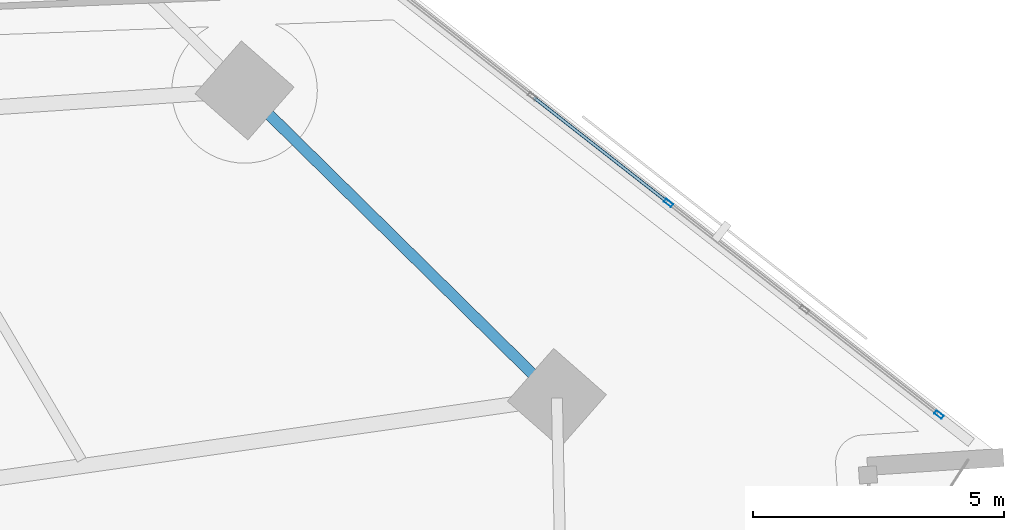
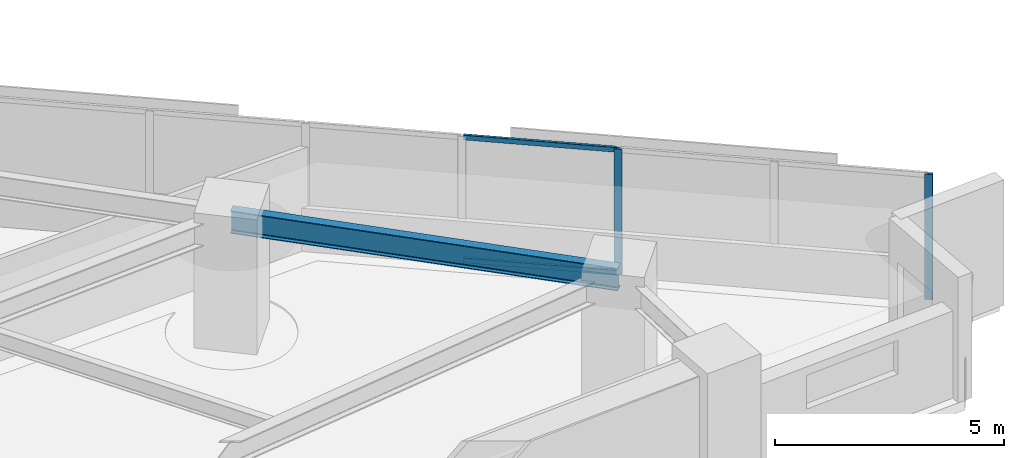
# One storey, part 4 of 16: 4 members, 1 beam, 1 element without a shape of its own.
"""IFC4 building model written with IfcOpenShell, lengths in metres."""

from ifc_helpers import new_model, si_unit, direction, frame, origin, origin_2d, place, context, subcontext, project, spatial, hollow_rectangle, i_section, extrude, material, material_profile, profile_set, type_object, element, aggregate, save


model = new_model("IFC4")

# Units and contexts
model_context = context("Model", 3, precision=1e-05, world=origin(), true_north=direction((0.0, 1.0)))
body_context = subcontext(model_context, "Body", "Model", "MODEL_VIEW")
ifc_project = project(units=[si_unit("LENGTHUNIT", "METRE"), si_unit("AREAUNIT", "SQUARE_METRE"), si_unit("VOLUMEUNIT", "CUBIC_METRE"), si_unit("PLANEANGLEUNIT", "RADIAN"), si_unit("MASSUNIT", "GRAM", prefix="KILO")], contexts=[model_context])

# Site, building, storey
site_placement = place(None, origin())
site = spatial("IfcSite", under=ifc_project, at=site_placement, CompositionType="ELEMENT")
building_placement = place(site_placement, origin())
building = spatial("IfcBuilding", under=site, at=building_placement, Name="Narakoshi Arena Tower", CompositionType="ELEMENT")
storey_placement = place(building_placement, frame((0.0, 0.0, 81.300048828125)))
storey = spatial("IfcBuildingStorey", under=building, at=storey_placement, Name="L21", CompositionType="ELEMENT", Elevation=81.300048828125)

# Beam
ifc_material_1 = material(Name="Structural steel S355J2", Category="steel")
ifc_material_profile_1 = material_profile(ifc_material_1, i_section(OverallWidth=0.219970703125, OverallDepth=0.60009765625, WebThickness=0.011962890625, FlangeThickness=0.01904296875, FilletRadius=0.02392578125, at=origin_2d()), Name="IPE600")
ifc_profile_set_1 = profile_set([ifc_material_profile_1], Name="Structural steel S355J2")
beam_type = type_object("IfcBeamType", Name="BM-EDGE-600", PredefinedType="BEAM", material=ifc_profile_set_1)
beam_placement = place(storey_placement, frame((113.21630859375, 38.669189453125, 3.0400390625), z_axis=(-0.712519972485, 0.701651828765, 0.0), x_axis=(-0.701651828765, -0.712519972485, 0.0)))
element("IfcBeam", 1, at=beam_placement, inside=storey, type_object=beam_type, Name="L21 Perimeter Edge Girder 05", PredefinedType="BEAM", context=body_context, shape_type="SweptSolid", body=[
    extrude(i_section(OverallWidth=0.219970703125, OverallDepth=0.60009765625, WebThickness=0.011962890625, FlangeThickness=0.01904296875, FilletRadius=0.02392578125, at=origin_2d()), origin(), (0.0, 0.0, 1.0), 8.738525390625),
])

# Curtain wall, members
ifc_material_2 = material(Name="Anodised bronze aluminium 6063-T6", Category="aluminium")
curtain_wall_type = type_object("IfcCurtainWallType", Name="CW-HYP-LOW", PredefinedType="NOTDEFINED", material=ifc_material_2)
curtain_wall_placement = place(storey_placement, origin())
curtain_wall = element("IfcCurtainWall", 2, at=curtain_wall_placement, inside=storey, type_object=curtain_wall_type, Name="L21 Folded Hypotenuse Curtain Wall 1-1", PredefinedType="NOTDEFINED")
ifc_material_profile_2 = material_profile(ifc_material_2, hollow_rectangle(XDim=0.074951171875, YDim=0.179931640625, WallThickness=0.00390625, OuterFilletRadius=0.0048828125, at=origin_2d()), Name="MUL180x75x4")
ifc_profile_set_2 = profile_set([ifc_material_profile_2], Name="Anodised bronze aluminium 6063-T6")
member_type_1 = type_object("IfcMemberType", Name="MEM-MUL-180", PredefinedType="MULLION", material=ifc_profile_set_2)
member_1_placement = place(storey_placement, frame((120.83251953125, 38.336181640625, 0.0), z_axis=(0.0, 0.0, 1.0), x_axis=(-0.616458234641, -0.787387607817, 0.0)))
member_1 = element("IfcMember", 3, at=member_1_placement, type_object=member_type_1, Name="CW-01 mullion 1", PredefinedType="MULLION", context=body_context, shape_type="SweptSolid", body=[
    extrude(hollow_rectangle(XDim=0.074951171875, YDim=0.179931640625, WallThickness=0.00390625, OuterFilletRadius=0.0048828125, at=origin_2d()), origin(), (0.0, 0.0, 1.0), 3.33984375),
])
member_2_placement = place(storey_placement, frame((115.43896484375, 42.558837890625, 0.0), z_axis=(0.0, 0.0, 1.0), x_axis=(-0.616458234641, -0.787387607817, 0.0)))
member_2 = element("IfcMember", 4, at=member_2_placement, type_object=member_type_1, Name="CW-01 mullion 3", PredefinedType="MULLION", context=body_context, shape_type="SweptSolid", body=[
    extrude(hollow_rectangle(XDim=0.074951171875, YDim=0.179931640625, WallThickness=0.00390625, OuterFilletRadius=0.0048828125, at=origin_2d()), origin(), (0.0, 0.0, 1.0), 3.33984375),
])
ifc_material_profile_3 = material_profile(ifc_material_2, hollow_rectangle(XDim=0.06494140625, YDim=0.1298828125, WallThickness=0.00390625, OuterFilletRadius=0.0048828125, at=origin_2d()), Name="TRN130x65x4")
ifc_profile_set_3 = profile_set([ifc_material_profile_3], Name="Anodised bronze aluminium 6063-T6")
member_type_2 = type_object("IfcMemberType", Name="MEM-TRN-130", PredefinedType="USERDEFINED", material=ifc_profile_set_3)
member_3_placement = place(storey_placement, frame((115.409423828125, 42.58203125, 0.032470703125), z_axis=(-0.787373456673, 0.616476309137, 0.0), x_axis=(-0.616476309137, -0.787373456673, 0.0)))
member_3 = element("IfcMember", 5, at=member_3_placement, type_object=member_type_2, Name="CW-01 transom 3.1", ObjectType="TRANSOM", PredefinedType="USERDEFINED", context=body_context, shape_type="SweptSolid", body=[
    extrude(hollow_rectangle(XDim=0.06494140625, YDim=0.1298828125, WallThickness=0.00390625, OuterFilletRadius=0.0048828125, at=origin_2d()), origin(), (0.0, 0.0, 1.0), 3.36865234375),
])
member_4_placement = place(storey_placement, frame((115.409423828125, 42.58203125, 3.307373046875), z_axis=(-0.787373456673, 0.616476309137, 0.0), x_axis=(-0.616476309137, -0.787373456673, 0.0)))
member_4 = element("IfcMember", 6, at=member_4_placement, type_object=member_type_2, Name="CW-01 transom 3.2", ObjectType="TRANSOM", PredefinedType="USERDEFINED", context=body_context, shape_type="SweptSolid", body=[
    extrude(hollow_rectangle(XDim=0.06494140625, YDim=0.1298828125, WallThickness=0.00390625, OuterFilletRadius=0.0048828125, at=origin_2d()), origin(), (0.0, 0.0, 1.0), 3.36865234375),
])
aggregate(curtain_wall, [member_1, member_2, member_3, member_4])

save(model, "model.ifc")
